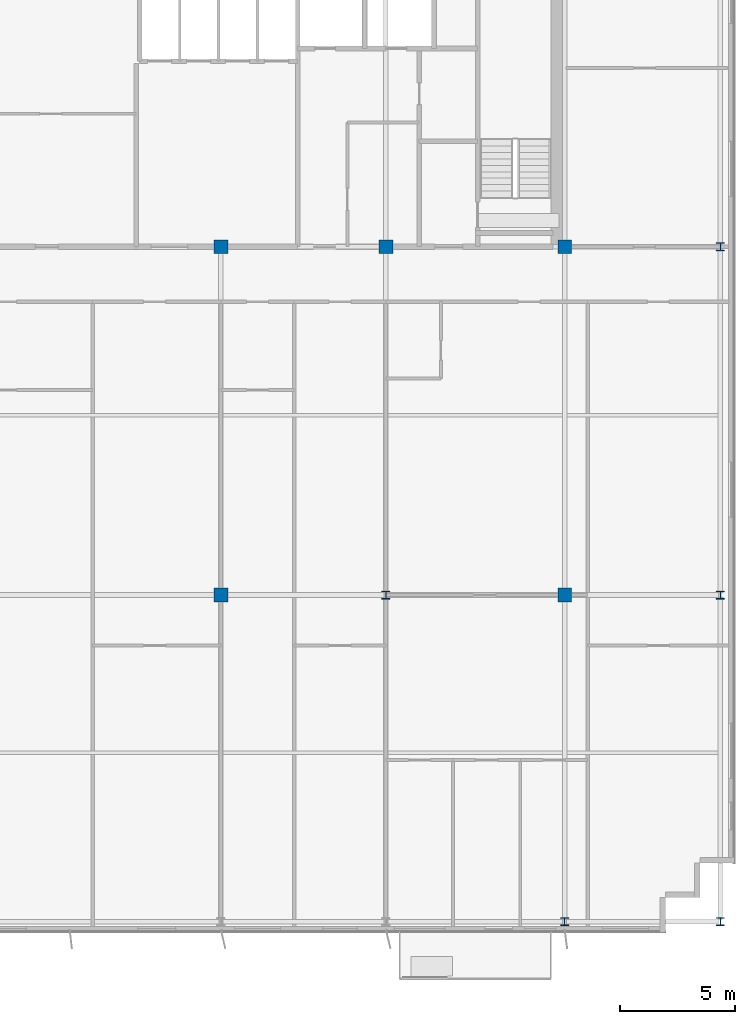
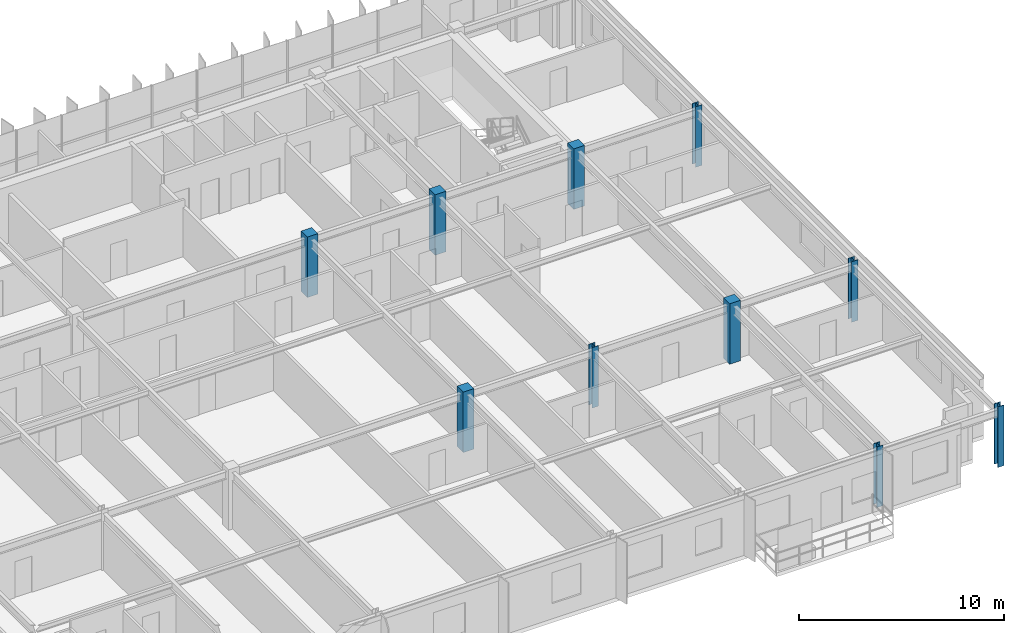
# One storey, part 2 of 22: 10 columns.
"""IFC4 building model written with IfcOpenShell, lengths in metres."""

from ifc_helpers import new_model, si_unit, direction, frame, origin, origin_2d, place, context, subcontext, project, spatial, rectangle, i_section, extrude, source, transform, mapped, material, material_profile, profile_set, type_object, element, save


model = new_model("IFC4")

# Units and contexts
model_context = context("Model", 3, precision=1e-05, world=origin(), true_north=direction((0.0, 1.0)))
body_context = subcontext(model_context, "Body", "Model", "MODEL_VIEW")
ifc_project = project(units=[si_unit("LENGTHUNIT", "METRE"), si_unit("AREAUNIT", "SQUARE_METRE"), si_unit("VOLUMEUNIT", "CUBIC_METRE"), si_unit("PLANEANGLEUNIT", "RADIAN"), si_unit("MASSUNIT", "GRAM", prefix="KILO")], contexts=[model_context])

# Site, building, storey
site_placement = place(None, origin())
site = spatial("IfcSite", under=ifc_project, at=site_placement, CompositionType="ELEMENT")
building_placement = place(site_placement, origin())
building = spatial("IfcBuilding", under=site, at=building_placement, Name="Trelvane Seafront Commons", CompositionType="ELEMENT")
storey_placement = place(building_placement, frame((0.0, 0.0, 281.10009765625)))
storey = spatial("IfcBuildingStorey", under=building, at=storey_placement, Name="L73", CompositionType="ELEMENT", Elevation=281.10009765625)

# Columns
ifc_material_1 = material(Name="Steel SM355 (S355)", Category="steel")
ifc_material_profile_1 = material_profile(ifc_material_1, i_section(OverallWidth=0.35009765625, OverallDepth=0.35009765625, WebThickness=0.01806640625, FlangeThickness=0.028076171875, at=origin_2d()), Name="HD-350x350x18x28")
ifc_profile_set_1 = profile_set([ifc_material_profile_1], Name="Steel SM355 (S355)")
column_type_1 = type_object("IfcColumnType", Name="STR-COL-HD350", PredefinedType="COLUMN", material=ifc_profile_set_1)
shared_shape_1 = source(origin(), body_context, "Body", "SweptSolid", [
    extrude(i_section(OverallWidth=0.35009765625, OverallDepth=0.35009765625, WebThickness=0.01806640625, FlangeThickness=0.028076171875, at=origin_2d()), origin(), (0.0, 0.0, 1.0), 3.599853515625),
])
for number, where, z_axis, x_axis, name in (
    (1, (51.0, 18.199951171875, 0.0), (0.0, 0.0, 1.0), (1.0, 0.0, 0.0), "L73 Column TC-M51.0"),
    (2, (58.800048828125, 3.949951171875, 0.0), (0.0, 0.0, 1.0), (1.0, 0.0, 0.0), "L73 Column TC-S58.8"),
    (3, (65.60009765625, 3.949951171875, 0.0), (0.0, 0.0, 1.0), (1.0, 0.0, 0.0), "L73 Column TC-S65.6"),
    (4, (65.60009765625, 18.199951171875, 0.0), (0.0, 0.0, 1.0), (1.0, 0.0, 0.0), "L73 Column TC-M65.6"),
    (5, (65.60009765625, 33.39990234375, 0.0), (0.0, 0.0, 1.0), (1.0, 0.0, 0.0), "L73 Column TC-CS65.6"),
):
    element("IfcColumn", number, at=place(storey_placement, frame(where, z_axis=z_axis, x_axis=x_axis)), inside=storey, type_object=column_type_1, Name=name, PredefinedType="COLUMN", context=body_context, shape_type="MappedRepresentation", body=[
        mapped(shared_shape_1, transform((0.0, 0.0, 0.0), x_axis=(1.0, 0.0, 0.0), y_axis=(0.0, 1.0, 0.0), z_axis=(0.0, 0.0, 1.0), scale=1.0)),
    ])
ifc_material_2 = material(Name="Concrete C50/60", Category="concrete")
ifc_material_profile_2 = material_profile(ifc_material_2, rectangle(XDim=0.60009765625, YDim=0.60009765625, at=origin_2d()), Name="RC-600x600")
ifc_profile_set_2 = profile_set([ifc_material_profile_2], Name="Concrete C50/60")
column_type_2 = type_object("IfcColumnType", Name="STR-COL-RC600", PredefinedType="COLUMN", material=ifc_profile_set_2)
shared_shape_2 = source(origin(), body_context, "Body", "SweptSolid", [
    extrude(rectangle(XDim=0.60009765625, YDim=0.60009765625, at=origin_2d()), origin(), (0.0, 0.0, 1.0), 3.599853515625),
])
for number, where, z_axis, x_axis, name in (
    (6, (43.800048828125, 18.199951171875, 0.0), (0.0, 0.0, 1.0), (1.0, 0.0, 0.0), "L73 Column TC-M43.8"),
    (7, (43.800048828125, 33.39990234375, 0.0), (0.0, 0.0, 1.0), (1.0, 0.0, 0.0), "L73 Column TC-CS43.8"),
    (8, (51.0, 33.39990234375, 0.0), (0.0, 0.0, 1.0), (1.0, 0.0, 0.0), "L73 Column TC-CS51.0"),
    (9, (58.800048828125, 18.199951171875, 0.0), (0.0, 0.0, 1.0), (1.0, 0.0, 0.0), "L73 Column TC-M58.8"),
    (10, (58.800048828125, 33.39990234375, 0.0), (0.0, 0.0, 1.0), (1.0, 0.0, 0.0), "L73 Column TC-CS58.8"),
):
    element("IfcColumn", number, at=place(storey_placement, frame(where, z_axis=z_axis, x_axis=x_axis)), inside=storey, type_object=column_type_2, Name=name, PredefinedType="COLUMN", context=body_context, shape_type="MappedRepresentation", body=[
        mapped(shared_shape_2, transform((0.0, 0.0, 0.0), x_axis=(1.0, 0.0, 0.0), y_axis=(0.0, 1.0, 0.0), z_axis=(0.0, 0.0, 1.0), scale=1.0)),
    ])

save(model, "model.ifc")
